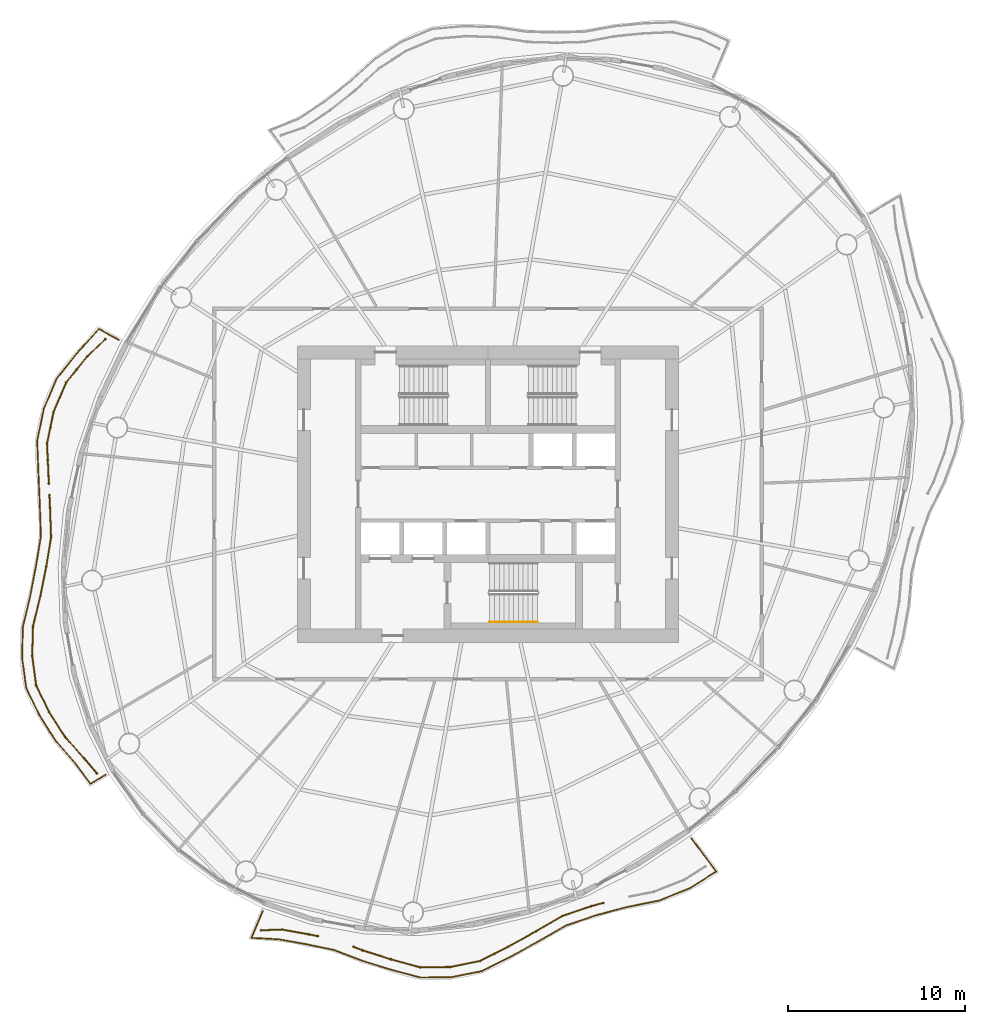
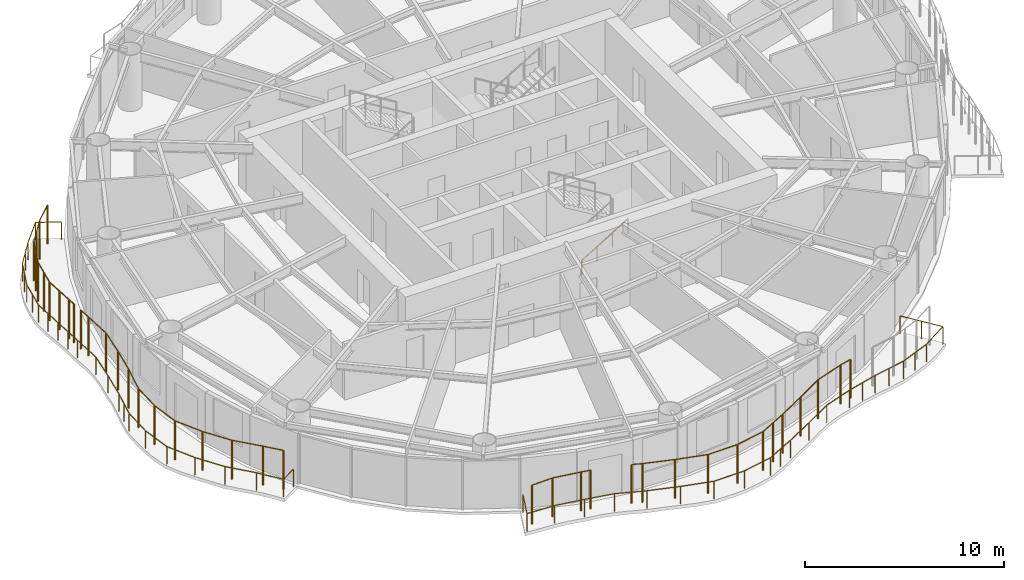
# One storey, part 12 of 14: 7 railings.
"""IFC4 building model written with IfcOpenShell, lengths in metres."""

from ifc_helpers import new_model, si_unit, direction, frame, origin, origin_2d, place, context, subcontext, project, spatial, circle, extrude, material, type_object, element, save


model = new_model("IFC4")

# Units and contexts
model_context = context("Model", 3, precision=1e-05, world=origin(), true_north=direction((0.0, 1.0)))
body_context = subcontext(model_context, "Body", "Model", "MODEL_VIEW")
ifc_project = project(units=[si_unit("LENGTHUNIT", "METRE"), si_unit("AREAUNIT", "SQUARE_METRE"), si_unit("VOLUMEUNIT", "CUBIC_METRE"), si_unit("PLANEANGLEUNIT", "RADIAN"), si_unit("MASSUNIT", "GRAM", prefix="KILO")], contexts=[model_context])

# Site, building, storey
site_placement = place(None, origin())
site = spatial("IfcSite", under=ifc_project, at=site_placement, CompositionType="ELEMENT")
building_placement = place(site_placement, origin())
building = spatial("IfcBuilding", under=site, at=building_placement, Name="Vermilion Reach Broadcast Tower", CompositionType="ELEMENT")
storey_placement = place(building_placement, frame((0.0, 0.0, 228.10009765625)))
storey = spatial("IfcBuildingStorey", under=building, at=storey_placement, Name="L56", CompositionType="ELEMENT", Elevation=228.10009765625)

# Railings
ifc_material_1 = material(Name="Terracotta baguette", Category="masonry")
railing_type_1 = type_object("IfcRailingType", Name="BAGUETTE SCREEN", PredefinedType="USERDEFINED", material=ifc_material_1)
railing_1_placement = place(storey_placement, frame((-27.67333984375, 8.775390625, 0.0)))
element("IfcRailing", 1, at=railing_1_placement, inside=storey, type_object=railing_type_1, Name="Baguette screen L56 group 2 part 1", ObjectType="BAGUETTE SCREEN", PredefinedType="USERDEFINED", context=body_context, shape_type="SweptSolid", body=[
    extrude(circle(Radius=0.030029296875, at=origin_2d()), frame((0.0, 0.0, 2.369873046875), z_axis=(-0.722757044691, -0.691102202535, 0.0), x_axis=(0.691102202535, -0.722757044691, 0.0)), (0.0, 0.0, 1.0), 1.4267578125),
    extrude(circle(Radius=0.030029296875, at=origin_2d()), frame((-1.03125, -0.986083984375, 2.369873046875), z_axis=(-0.628967945906, -0.77743123363, 0.0), x_axis=(0.77743123363, -0.628967945906, 0.0)), (0.0, 0.0, 1.0), 1.89111328125),
    extrude(circle(Radius=0.030029296875, at=origin_2d()), frame((-2.220703125, -2.456298828125, 2.369873046875), z_axis=(-0.393627229097, -0.919270147733, 0.0), x_axis=(0.919270147733, -0.393627229097, 0.0)), (0.0, 0.0, 1.0), 1.816162109375),
    extrude(circle(Radius=0.030029296875, at=origin_2d()), frame((-2.935546875, -4.125732421875, 2.369873046875), z_axis=(-0.201260227584, -0.979537809782, 0.0), x_axis=(0.979537809782, -0.201260227584, 0.0)), (0.0, 0.0, 1.0), 1.824462890625),
    extrude(circle(Radius=0.030029296875, at=origin_2d()), frame((-3.302734375, -5.912841796875, 2.369873046875), z_axis=(0.044141123431, -0.999025305597, 0.0), x_axis=(0.999025305597, 0.044141123431, 0.0)), (0.0, 0.0, 1.0), 1.836181640625),
    extrude(circle(Radius=0.030029296875, at=origin_2d()), frame((-3.2216796875, -7.747314453125, 2.369873046875), z_axis=(0.046980541768, -0.998895804724, 0.0), x_axis=(0.998895804724, 0.046980541768, 0.0)), (0.0, 0.0, 1.0), 0.4365234375),
    extrude(circle(Radius=0.050048828125, at=origin_2d()), origin(), (0.0, 0.0, 1.0), 2.33984375),
    extrude(circle(Radius=0.050048828125, at=origin_2d()), frame((-1.03125, -0.986083984375, 0.0)), (0.0, 0.0, 1.0), 2.33984375),
    extrude(circle(Radius=0.050048828125, at=origin_2d()), frame((-1.6259765625, -1.72119140625, 0.0)), (0.0, 0.0, 1.0), 2.33984375),
    extrude(circle(Radius=0.050048828125, at=origin_2d()), frame((-2.220703125, -2.456298828125, 0.0)), (0.0, 0.0, 1.0), 2.33984375),
    extrude(circle(Radius=0.050048828125, at=origin_2d()), frame((-2.578125, -3.291015625, 0.0)), (0.0, 0.0, 1.0), 2.33984375),
    extrude(circle(Radius=0.050048828125, at=origin_2d()), frame((-2.935546875, -4.125732421875, 0.0)), (0.0, 0.0, 1.0), 2.33984375),
    extrude(circle(Radius=0.050048828125, at=origin_2d()), frame((-3.119140625, -5.019287109375, 0.0)), (0.0, 0.0, 1.0), 2.33984375),
    extrude(circle(Radius=0.050048828125, at=origin_2d()), frame((-3.302734375, -5.912841796875, 0.0)), (0.0, 0.0, 1.0), 2.33984375),
    extrude(circle(Radius=0.050048828125, at=origin_2d()), frame((-3.26220703125, -6.830078125, 0.0)), (0.0, 0.0, 1.0), 2.33984375),
    extrude(circle(Radius=0.050048828125, at=origin_2d()), frame((-3.2216796875, -7.747314453125, 0.0)), (0.0, 0.0, 1.0), 2.33984375),
    extrude(circle(Radius=0.050048828125, at=origin_2d()), frame((-3.201171875, -8.183349609375, 0.0)), (0.0, 0.0, 1.0), 2.33984375),
])
railing_2_placement = place(storey_placement, frame((-30.84375, -0.05712890625, 0.0)))
element("IfcRailing", 2, at=railing_2_placement, inside=storey, type_object=railing_type_1, Name="Baguette screen L56 group 2 part 2", ObjectType="BAGUETTE SCREEN", PredefinedType="USERDEFINED", context=body_context, shape_type="SweptSolid", body=[
    extrude(circle(Radius=0.030029296875, at=origin_2d()), frame((0.0, 0.0, 2.369873046875), z_axis=(0.047298809531, -0.998880784987, 0.0), x_axis=(0.998880784987, 0.047298809531, 0.0)), (0.0, 0.0, 1.0), 0.69677734375),
    extrude(circle(Radius=0.030029296875, at=origin_2d()), frame((0.032958984375, -0.696044921875, 2.369873046875), z_axis=(0.037676496913, -0.999289988732, 0.0), x_axis=(0.999289988732, 0.037676496913, 0.0)), (0.0, 0.0, 1.0), 1.69775390625),
    extrude(circle(Radius=0.030029296875, at=origin_2d()), frame((0.096923828125, -2.392578125, 2.369873046875), z_axis=(-0.164163813385, -0.986433090673, 0.0), x_axis=(0.986433090673, -0.164163813385, 0.0)), (0.0, 0.0, 1.0), 1.68359375),
    extrude(circle(Radius=0.030029296875, at=origin_2d()), frame((-0.179443359375, -4.05322265625, 2.369873046875), z_axis=(-0.195585957367, -0.980686562201, 0.0), x_axis=(0.980686562201, -0.195585957367, 0.0)), (0.0, 0.0, 1.0), 1.6826171875),
    extrude(circle(Radius=0.030029296875, at=origin_2d()), frame((-0.508544921875, -5.703369140625, 2.369873046875), z_axis=(-0.236475156392, -0.971637535509, 0.0), x_axis=(0.971637535509, -0.236475156392, 0.0)), (0.0, 0.0, 1.0), 1.764404296875),
    extrude(circle(Radius=0.030029296875, at=origin_2d()), frame((-0.92578125, -7.417724609375, 2.369873046875), z_axis=(-0.028877162149, -0.999582967795, 0.0), x_axis=(0.999582967795, -0.028877162149, 0.0)), (0.0, 0.0, 1.0), 1.69091796875),
    extrude(circle(Radius=0.030029296875, at=origin_2d()), frame((-0.974609375, -9.10791015625, 2.369873046875), z_axis=(0.133155864043, -0.991095109397, 0.0), x_axis=(0.991095109397, 0.133155864043, 0.0)), (0.0, 0.0, 1.0), 1.6923828125),
    extrude(circle(Radius=0.030029296875, at=origin_2d()), frame((-0.749267578125, -10.78515625, 2.369873046875), z_axis=(0.438538830035, -0.898712242351, 0.0), x_axis=(0.898712242351, 0.438538830035, 0.0)), (0.0, 0.0, 1.0), 1.670166015625),
    extrude(circle(Radius=0.030029296875, at=origin_2d()), frame((-0.016845703125, -12.2861328125, 2.369873046875), z_axis=(0.538629286926, -0.842542872064, 0.0), x_axis=(0.842542872064, 0.538629286926, 0.0)), (0.0, 0.0, 1.0), 1.665283203125),
    extrude(circle(Radius=0.030029296875, at=origin_2d()), frame((0.880126953125, -13.689208984375, 2.369873046875), z_axis=(0.664817376266, -0.747005927831, 0.0), x_axis=(0.747005927831, 0.664817376266, 0.0)), (0.0, 0.0, 1.0), 1.63671875),
    extrude(circle(Radius=0.030029296875, at=origin_2d()), frame((1.96826171875, -14.911865234375, 2.369873046875), z_axis=(0.645291965008, -0.763936044376, 0.0), x_axis=(0.763936044376, 0.645291965008, 0.0)), (0.0, 0.0, 1.0), 1.111083984375),
    extrude(circle(Radius=0.050048828125, at=origin_2d()), origin(), (0.0, 0.0, 1.0), 2.33984375),
    extrude(circle(Radius=0.050048828125, at=origin_2d()), frame((0.032958984375, -0.696044921875, 0.0)), (0.0, 0.0, 1.0), 2.33984375),
    extrude(circle(Radius=0.050048828125, at=origin_2d()), frame((0.096923828125, -2.392578125, 0.0)), (0.0, 0.0, 1.0), 2.33984375),
    extrude(circle(Radius=0.050048828125, at=origin_2d()), frame((-0.179443359375, -4.05322265625, 0.0)), (0.0, 0.0, 1.0), 2.33984375),
    extrude(circle(Radius=0.050048828125, at=origin_2d()), frame((-0.508544921875, -5.703369140625, 0.0)), (0.0, 0.0, 1.0), 2.33984375),
    extrude(circle(Radius=0.050048828125, at=origin_2d()), frame((-0.92578125, -7.417724609375, 0.0)), (0.0, 0.0, 1.0), 2.33984375),
    extrude(circle(Radius=0.050048828125, at=origin_2d()), frame((-0.974609375, -9.10791015625, 0.0)), (0.0, 0.0, 1.0), 2.33984375),
    extrude(circle(Radius=0.050048828125, at=origin_2d()), frame((-0.749267578125, -10.78515625, 0.0)), (0.0, 0.0, 1.0), 2.33984375),
    extrude(circle(Radius=0.050048828125, at=origin_2d()), frame((-0.016845703125, -12.2861328125, 0.0)), (0.0, 0.0, 1.0), 2.33984375),
    extrude(circle(Radius=0.050048828125, at=origin_2d()), frame((0.880126953125, -13.689208984375, 0.0)), (0.0, 0.0, 1.0), 2.33984375),
    extrude(circle(Radius=0.050048828125, at=origin_2d()), frame((1.96826171875, -14.911865234375, 0.0)), (0.0, 0.0, 1.0), 2.33984375),
    extrude(circle(Radius=0.050048828125, at=origin_2d()), frame((2.685302734375, -15.7607421875, 0.0)), (0.0, 0.0, 1.0), 2.33984375),
])
railing_3_placement = place(storey_placement, frame((-18.860107421875, -24.7080078125, 0.0)))
element("IfcRailing", 3, at=railing_3_placement, inside=storey, type_object=railing_type_1, Name="Baguette screen L56 group 3 part 1", ObjectType="BAGUETTE SCREEN", PredefinedType="USERDEFINED", context=body_context, shape_type="SweptSolid", body=[
    extrude(circle(Radius=0.030029296875, at=origin_2d()), frame((0.0, 0.0, 2.369873046875), z_axis=(0.999548598282, 0.030043296618, 0.0), x_axis=(-0.030043296618, 0.999548598282, 0.0)), (0.0, 0.0, 1.0), 1.20263671875),
    extrude(circle(Radius=0.030029296875, at=origin_2d()), frame((1.2021484375, 0.0361328125, 2.369873046875), z_axis=(0.984942379849, -0.17288293258, 0.0), x_axis=(0.17288293258, 0.984942379849, 0.0)), (0.0, 0.0, 1.0), 1.54345703125),
    extrude(circle(Radius=0.030029296875, at=origin_2d()), frame((2.722412109375, -0.230712890625, 2.369873046875), z_axis=(0.979227534242, -0.202764484519, 0.0), x_axis=(0.202764484519, 0.979227534242, 0.0)), (0.0, 0.0, 1.0), 0.508056640625),
    extrude(circle(Radius=0.050048828125, at=origin_2d()), origin(), (0.0, 0.0, 1.0), 2.33984375),
    extrude(circle(Radius=0.050048828125, at=origin_2d()), frame((1.2021484375, 0.0361328125, 0.0)), (0.0, 0.0, 1.0), 2.33984375),
    extrude(circle(Radius=0.050048828125, at=origin_2d()), frame((2.722412109375, -0.230712890625, 0.0)), (0.0, 0.0, 1.0), 2.33984375),
    extrude(circle(Radius=0.050048828125, at=origin_2d()), frame((3.219970703125, -0.333740234375, 0.0)), (0.0, 0.0, 1.0), 2.33984375),
])
railing_4_placement = place(storey_placement, frame((-13.614013671875, -25.64453125, 0.0)))
element("IfcRailing", 4, at=railing_4_placement, inside=storey, type_object=railing_type_1, Name="Baguette screen L56 group 3 part 2", ObjectType="BAGUETTE SCREEN", PredefinedType="USERDEFINED", context=body_context, shape_type="SweptSolid", body=[
    extrude(circle(Radius=0.030029296875, at=origin_2d()), frame((0.0, 0.0, 2.369873046875), z_axis=(0.931395385724, -0.364009114517, 0.0), x_axis=(0.364009114517, 0.931395385724, 0.0)), (0.0, 0.0, 1.0), 0.54248046875),
    extrude(circle(Radius=0.030029296875, at=origin_2d()), frame((0.50537109375, -0.197509765625, 2.369873046875), z_axis=(0.952777109231, -0.30367051244, 0.0), x_axis=(0.30367051244, 0.952777109231, 0.0)), (0.0, 0.0, 1.0), 1.68359375),
    extrude(circle(Radius=0.030029296875, at=origin_2d()), frame((2.109375, -0.708740234375, 2.369873046875), z_axis=(0.964668861226, -0.263465345312, 0.0), x_axis=(0.263465345312, 0.964668861226, 0.0)), (0.0, 0.0, 1.0), 1.7216796875),
    extrude(circle(Radius=0.030029296875, at=origin_2d()), frame((3.770263671875, -1.162353515625, 2.369873046875), z_axis=(0.999935732565, 0.011337139825, 0.0), x_axis=(-0.011337139825, 0.999935732565, 0.0)), (0.0, 0.0, 1.0), 1.72265625),
    extrude(circle(Radius=0.030029296875, at=origin_2d()), frame((5.492919921875, -1.142822265625, 2.369873046875), z_axis=(0.980273219847, 0.197647196923, 0.0), x_axis=(-0.197647196923, 0.980273219847, 0.0)), (0.0, 0.0, 1.0), 1.717041015625),
    extrude(circle(Radius=0.030029296875, at=origin_2d()), frame((7.176025390625, -0.803466796875, 2.369873046875), z_axis=(0.891069478784, 0.453866923206, 0.0), x_axis=(-0.453866923206, 0.891069478784, 0.0)), (0.0, 0.0, 1.0), 1.802001953125),
    extrude(circle(Radius=0.030029296875, at=origin_2d()), frame((8.78173828125, 0.014404296875, 2.369873046875), z_axis=(0.874203184732, 0.485560286478, 0.0), x_axis=(-0.485560286478, 0.874203184732, 0.0)), (0.0, 0.0, 1.0), 1.755859375),
    extrude(circle(Radius=0.030029296875, at=origin_2d()), frame((10.316650390625, 0.866943359375, 2.369873046875), z_axis=(0.864398912647, 0.502806642573, 0.0), x_axis=(-0.502806642573, 0.864398912647, 0.0)), (0.0, 0.0, 1.0), 1.7548828125),
    extrude(circle(Radius=0.030029296875, at=origin_2d()), frame((11.83349609375, 1.749267578125, 2.369873046875), z_axis=(0.946667495307, 0.32221212474, 0.0), x_axis=(-0.32221212474, 0.946667495307, 0.0)), (0.0, 0.0, 1.0), 1.711669921875),
    extrude(circle(Radius=0.030029296875, at=origin_2d()), frame((13.453857421875, 2.30078125, 2.369873046875), z_axis=(0.966422587137, 0.256957940279, 0.0), x_axis=(-0.256957940279, 0.966422587137, 0.0)), (0.0, 0.0, 1.0), 0.711669921875),
    extrude(circle(Radius=0.050048828125, at=origin_2d()), origin(), (0.0, 0.0, 1.0), 2.33984375),
    extrude(circle(Radius=0.050048828125, at=origin_2d()), frame((0.50537109375, -0.197509765625, 0.0)), (0.0, 0.0, 1.0), 2.33984375),
    extrude(circle(Radius=0.050048828125, at=origin_2d()), frame((2.109375, -0.708740234375, 0.0)), (0.0, 0.0, 1.0), 2.33984375),
    extrude(circle(Radius=0.050048828125, at=origin_2d()), frame((3.770263671875, -1.162353515625, 0.0)), (0.0, 0.0, 1.0), 2.33984375),
    extrude(circle(Radius=0.050048828125, at=origin_2d()), frame((5.492919921875, -1.142822265625, 0.0)), (0.0, 0.0, 1.0), 2.33984375),
    extrude(circle(Radius=0.050048828125, at=origin_2d()), frame((7.176025390625, -0.803466796875, 0.0)), (0.0, 0.0, 1.0), 2.33984375),
    extrude(circle(Radius=0.050048828125, at=origin_2d()), frame((7.97900390625, -0.39453125, 0.0)), (0.0, 0.0, 1.0), 2.33984375),
    extrude(circle(Radius=0.050048828125, at=origin_2d()), frame((8.78173828125, 0.014404296875, 0.0)), (0.0, 0.0, 1.0), 2.33984375),
    extrude(circle(Radius=0.050048828125, at=origin_2d()), frame((10.316650390625, 0.866943359375, 0.0)), (0.0, 0.0, 1.0), 2.33984375),
    extrude(circle(Radius=0.050048828125, at=origin_2d()), frame((11.83349609375, 1.749267578125, 0.0)), (0.0, 0.0, 1.0), 2.33984375),
    extrude(circle(Radius=0.050048828125, at=origin_2d()), frame((13.453857421875, 2.30078125, 0.0)), (0.0, 0.0, 1.0), 2.33984375),
    extrude(circle(Radius=0.050048828125, at=origin_2d()), frame((14.1416015625, 2.483642578125, 0.0)), (0.0, 0.0, 1.0), 2.33984375),
])
ifc_material_2 = material(Name="Stainless steel 316 balustrade", Category="steel")
railing_type_2 = type_object("IfcRailingType", Name="Balcony guard 1100", PredefinedType="BALUSTRADE", material=ifc_material_2)
railing_5_placement = place(storey_placement, frame((-26.900634765625, 8.72900390625, 0.0)))
element("IfcRailing", 5, at=railing_5_placement, inside=storey, type_object=railing_type_2, Name="Balcony guard L56 group 2", PredefinedType="BALUSTRADE", context=body_context, shape_type="SweptSolid", body=[
    extrude(circle(Radius=0.02490234375, at=origin_2d()), frame((0.0, 0.0, 1.0751953125), z_axis=(-0.877672729299, 0.479260451367, 0.0), x_axis=(-0.479260451367, -0.877672729299, 0.0)), (0.0, 0.0, 1.0), 1.298583984375),
    extrude(circle(Radius=0.02490234375, at=origin_2d()), frame((-1.1396484375, 0.622314453125, 1.0751953125), z_axis=(-0.671064975396, -0.741398542484, 0.0), x_axis=(0.741398542484, -0.671064975396, 0.0)), (0.0, 0.0, 1.0), 1.770263671875),
    extrude(circle(Radius=0.02490234375, at=origin_2d()), frame((-2.32763671875, -0.690185546875, 1.0751953125), z_axis=(-0.625453629062, -0.780261339484, 0.0), x_axis=(0.780261339484, -0.625453629062, 0.0)), (0.0, 0.0, 1.0), 1.92236328125),
    extrude(circle(Radius=0.02490234375, at=origin_2d()), frame((-3.530029296875, -2.190185546875, 1.0751953125), z_axis=(-0.39301062429, -0.919533930421, 0.0), x_axis=(0.919533930421, -0.39301062429, 0.0)), (0.0, 0.0, 1.0), 1.8486328125),
    extrude(circle(Radius=0.02490234375, at=origin_2d()), frame((-4.256591796875, -3.89013671875, 1.0751953125), z_axis=(-0.203135646381, -0.979150605969, 0.0), x_axis=(0.979150605969, -0.203135646381, 0.0)), (0.0, 0.0, 1.0), 1.858154296875),
    extrude(circle(Radius=0.02490234375, at=origin_2d()), frame((-4.634033203125, -5.70947265625, 1.0751953125), z_axis=(0.039060245831, -0.999236857404, 0.0), x_axis=(0.999236857404, 0.039060245831, 0.0)), (0.0, 0.0, 1.0), 1.868896484375),
    extrude(circle(Radius=0.02490234375, at=origin_2d()), frame((-4.56103515625, -7.576904296875, 1.0751953125), z_axis=(0.042708676796, -0.999087568197, 0.0), x_axis=(0.999087568197, 0.042708676796, 0.0)), (0.0, 0.0, 1.0), 1.81787109375),
    extrude(circle(Radius=0.02490234375, at=origin_2d()), frame((-4.4833984375, -9.39306640625, 1.0751953125), z_axis=(0.034520510002, -0.99940398958, 0.0), x_axis=(0.99940398958, 0.034520510002, 0.0)), (0.0, 0.0, 1.0), 1.732666015625),
    extrude(circle(Radius=0.02490234375, at=origin_2d()), frame((-4.423583984375, -11.124755859375, 1.0751953125), z_axis=(-0.16191321633, -0.986805001192, 0.0), x_axis=(0.986805001192, -0.16191321633, 0.0)), (0.0, 0.0, 1.0), 1.720458984375),
    extrude(circle(Radius=0.02490234375, at=origin_2d()), frame((-4.7021484375, -12.822509765625, 1.0751953125), z_axis=(-0.191416939183, -0.981508815749, 0.0), x_axis=(0.981508815749, -0.191416939183, 0.0)), (0.0, 0.0, 1.0), 1.71923828125),
    extrude(circle(Radius=0.02490234375, at=origin_2d()), frame((-5.03125, -14.510009765625, 1.0751953125), z_axis=(-0.230081452893, -0.973171374957, 0.0), x_axis=(0.973171374957, -0.230081452893, 0.0)), (0.0, 0.0, 1.0), 1.8017578125),
    extrude(circle(Radius=0.02490234375, at=origin_2d()), frame((-5.44580078125, -16.263427734375, 1.0751953125), z_axis=(-0.025267276323, -0.999680731407, 0.0), x_axis=(0.999680731407, -0.025267276323, 0.0)), (0.0, 0.0, 1.0), 1.7294921875),
    extrude(circle(Radius=0.02490234375, at=origin_2d()), frame((-5.489501953125, -17.992431640625, 1.0751953125), z_axis=(0.134912102381, -0.990857570305, 0.0), x_axis=(0.990857570305, 0.134912102381, 0.0)), (0.0, 0.0, 1.0), 1.733642578125),
    extrude(circle(Radius=0.02490234375, at=origin_2d()), frame((-5.255615234375, -19.710205078125, 1.0751953125), z_axis=(0.434725118445, -0.900563196779, 0.0), x_axis=(0.900563196779, 0.434725118445, 0.0)), (0.0, 0.0, 1.0), 1.710693359375),
    extrude(circle(Radius=0.02490234375, at=origin_2d()), frame((-4.511962890625, -21.250732421875, 1.0751953125), z_axis=(0.534041406529, -0.845458323108, 0.0), x_axis=(0.845458323108, 0.534041406529, 0.0)), (0.0, 0.0, 1.0), 1.70751953125),
    extrude(circle(Radius=0.02490234375, at=origin_2d()), frame((-3.60009765625, -22.6943359375, 1.0751953125), z_axis=(0.659019423264, -0.752125920149, 0.0), x_axis=(0.752125920149, 0.659019423264, 0.0)), (0.0, 0.0, 1.0), 1.67822265625),
    extrude(circle(Radius=0.02490234375, at=origin_2d()), frame((-2.494140625, -23.95654296875, 1.0751953125), z_axis=(0.599127464484, -0.800653658769, 0.0), x_axis=(0.800653658769, 0.599127464484, 0.0)), (0.0, 0.0, 1.0), 1.47802734375),
    extrude(circle(Radius=0.02490234375, at=origin_2d()), frame((-1.608642578125, -25.139892578125, 1.0751953125), z_axis=(0.858232379707, 0.513261319819, 0.0), x_axis=(-0.513261319819, 0.858232379707, 0.0)), (0.0, 0.0, 1.0), 1.018310546875),
    extrude(circle(Radius=0.02490234375, at=origin_2d()), origin(), (0.0, 0.0, 1.0), 1.050048828125),
    extrude(circle(Radius=0.02490234375, at=origin_2d()), frame((-1.1396484375, 0.622314453125, 0.0)), (0.0, 0.0, 1.0), 1.050048828125),
    extrude(circle(Radius=0.02490234375, at=origin_2d()), frame((-2.32763671875, -0.690185546875, 0.0)), (0.0, 0.0, 1.0), 1.050048828125),
    extrude(circle(Radius=0.02490234375, at=origin_2d()), frame((-2.9287109375, -1.440185546875, 0.0)), (0.0, 0.0, 1.0), 1.050048828125),
    extrude(circle(Radius=0.02490234375, at=origin_2d()), frame((-3.530029296875, -2.190185546875, 0.0)), (0.0, 0.0, 1.0), 1.050048828125),
    extrude(circle(Radius=0.02490234375, at=origin_2d()), frame((-3.893310546875, -3.0400390625, 0.0)), (0.0, 0.0, 1.0), 1.050048828125),
    extrude(circle(Radius=0.02490234375, at=origin_2d()), frame((-4.256591796875, -3.89013671875, 0.0)), (0.0, 0.0, 1.0), 1.050048828125),
    extrude(circle(Radius=0.02490234375, at=origin_2d()), frame((-4.4453125, -4.7998046875, 0.0)), (0.0, 0.0, 1.0), 1.050048828125),
    extrude(circle(Radius=0.02490234375, at=origin_2d()), frame((-4.634033203125, -5.70947265625, 0.0)), (0.0, 0.0, 1.0), 1.050048828125),
    extrude(circle(Radius=0.02490234375, at=origin_2d()), frame((-4.59765625, -6.64306640625, 0.0)), (0.0, 0.0, 1.0), 1.050048828125),
    extrude(circle(Radius=0.02490234375, at=origin_2d()), frame((-4.56103515625, -7.576904296875, 0.0)), (0.0, 0.0, 1.0), 1.050048828125),
    extrude(circle(Radius=0.02490234375, at=origin_2d()), frame((-4.522216796875, -8.48486328125, 0.0)), (0.0, 0.0, 1.0), 1.050048828125),
    extrude(circle(Radius=0.02490234375, at=origin_2d()), frame((-4.4833984375, -9.39306640625, 0.0)), (0.0, 0.0, 1.0), 1.050048828125),
    extrude(circle(Radius=0.02490234375, at=origin_2d()), frame((-4.423583984375, -11.124755859375, 0.0)), (0.0, 0.0, 1.0), 1.050048828125),
    extrude(circle(Radius=0.02490234375, at=origin_2d()), frame((-4.7021484375, -12.822509765625, 0.0)), (0.0, 0.0, 1.0), 1.050048828125),
    extrude(circle(Radius=0.02490234375, at=origin_2d()), frame((-5.03125, -14.510009765625, 0.0)), (0.0, 0.0, 1.0), 1.050048828125),
    extrude(circle(Radius=0.02490234375, at=origin_2d()), frame((-5.238525390625, -15.38671875, 0.0)), (0.0, 0.0, 1.0), 1.050048828125),
    extrude(circle(Radius=0.02490234375, at=origin_2d()), frame((-5.44580078125, -16.263427734375, 0.0)), (0.0, 0.0, 1.0), 1.050048828125),
    extrude(circle(Radius=0.02490234375, at=origin_2d()), frame((-5.489501953125, -17.992431640625, 0.0)), (0.0, 0.0, 1.0), 1.050048828125),
    extrude(circle(Radius=0.02490234375, at=origin_2d()), frame((-5.255615234375, -19.710205078125, 0.0)), (0.0, 0.0, 1.0), 1.050048828125),
    extrude(circle(Radius=0.02490234375, at=origin_2d()), frame((-4.511962890625, -21.250732421875, 0.0)), (0.0, 0.0, 1.0), 1.050048828125),
    extrude(circle(Radius=0.02490234375, at=origin_2d()), frame((-3.60009765625, -22.6943359375, 0.0)), (0.0, 0.0, 1.0), 1.050048828125),
    extrude(circle(Radius=0.02490234375, at=origin_2d()), frame((-2.494140625, -23.95654296875, 0.0)), (0.0, 0.0, 1.0), 1.050048828125),
    extrude(circle(Radius=0.02490234375, at=origin_2d()), frame((-1.608642578125, -25.139892578125, 0.0)), (0.0, 0.0, 1.0), 1.050048828125),
    extrude(circle(Radius=0.02490234375, at=origin_2d()), frame((-0.734619140625, -24.6171875, 0.0)), (0.0, 0.0, 1.0), 1.050048828125),
])
railing_6_placement = place(storey_placement, frame((-18.75537109375, -23.6181640625, 0.0)))
element("IfcRailing", 6, at=railing_6_placement, inside=storey, type_object=railing_type_2, Name="Balcony guard L56 group 3", PredefinedType="BALUSTRADE", context=body_context, shape_type="SweptSolid", body=[
    extrude(circle(Radius=0.02490234375, at=origin_2d()), frame((0.0, 0.0, 1.0751953125), z_axis=(-0.390219202088, -0.920721985358, 0.0), x_axis=(0.920721985358, -0.390219202088, 0.0)), (0.0, 0.0, 1.0), 1.64990234375),
    extrude(circle(Radius=0.02490234375, at=origin_2d()), frame((-0.643798828125, -1.51904296875, 1.0751953125), z_axis=(0.998530844738, -0.054186272315, 0.0), x_axis=(0.054186272315, 0.998530844738, 0.0)), (0.0, 0.0, 1.0), 1.558837890625),
    extrude(circle(Radius=0.02490234375, at=origin_2d()), frame((0.912841796875, -1.603515625, 1.0751953125), z_axis=(0.984382843734, -0.176040952514, 0.0), x_axis=(0.176040952514, 0.984382843734, 0.0)), (0.0, 0.0, 1.0), 1.58642578125),
    extrude(circle(Radius=0.02490234375, at=origin_2d()), frame((2.474609375, -1.8828125, 1.0751953125), z_axis=(0.979209296697, -0.202852540685, 0.0), x_axis=(0.202852540685, 0.979209296697, 0.0)), (0.0, 0.0, 1.0), 1.601806640625),
    extrude(circle(Radius=0.02490234375, at=origin_2d()), frame((4.043212890625, -2.207763671875, 1.0751953125), z_axis=(0.933490120546, -0.358603116053, 0.0), x_axis=(0.358603116053, 0.933490120546, 0.0)), (0.0, 0.0, 1.0), 1.65380859375),
    extrude(circle(Radius=0.02490234375, at=origin_2d()), frame((5.5869140625, -2.80078125, 1.0751953125), z_axis=(0.954477457807, -0.298283057745, 0.0), x_axis=(0.298283057745, 0.954477457807, 0.0)), (0.0, 0.0, 1.0), 1.7236328125),
    extrude(circle(Radius=0.02490234375, at=origin_2d()), frame((7.232177734375, -3.31494140625, 1.0751953125), z_axis=(0.966228029741, -0.257688561142, 0.0), x_axis=(0.257688561142, 0.966228029741, 0.0)), (0.0, 0.0, 1.0), 1.75927734375),
    extrude(circle(Radius=0.02490234375, at=origin_2d()), frame((8.93212890625, -3.768310546875, 1.0751953125), z_axis=(0.999920514558, 0.012608115121, 0.0), x_axis=(-0.012608115121, 0.999920514558, 0.0)), (0.0, 0.0, 1.0), 1.76220703125),
    extrude(circle(Radius=0.02490234375, at=origin_2d()), frame((10.694091796875, -3.74609375, 1.0751953125), z_axis=(0.980548538682, 0.19627675178, 0.0), x_axis=(-0.19627675178, 0.980548538682, 0.0)), (0.0, 0.0, 1.0), 1.75390625),
    extrude(circle(Radius=0.02490234375, at=origin_2d()), frame((12.413818359375, -3.40185546875, 1.0751953125), z_axis=(0.893495502052, 0.44907214099, 0.0), x_axis=(-0.44907214099, 0.893495502052, 0.0)), (0.0, 0.0, 1.0), 1.838134765625),
    extrude(circle(Radius=0.02490234375, at=origin_2d()), frame((14.05615234375, -2.576416015625, 1.0751953125), z_axis=(0.876552601924, 0.481306073159, 0.0), x_axis=(-0.481306073159, 0.876552601924, 0.0)), (0.0, 0.0, 1.0), 1.7900390625),
    extrude(circle(Radius=0.02490234375, at=origin_2d()), frame((15.625244140625, -1.71484375, 1.0751953125), z_axis=(0.866423963106, 0.499309038729, 0.0), x_axis=(-0.499309038729, 0.866423963106, 0.0)), (0.0, 0.0, 1.0), 1.78955078125),
    extrude(circle(Radius=0.02490234375, at=origin_2d()), frame((17.17578125, -0.8212890625, 1.0751953125), z_axis=(0.946321685879, 0.323226339945, 0.0), x_axis=(-0.323226339945, 0.946321685879, 0.0)), (0.0, 0.0, 1.0), 1.74560546875),
    extrude(circle(Radius=0.02490234375, at=origin_2d()), frame((18.82763671875, -0.257080078125, 1.0751953125), z_axis=(0.965506764292, 0.260377971622, 0.0), x_axis=(-0.260377971622, 0.965506764292, 0.0)), (0.0, 0.0, 1.0), 1.818115234375),
    extrude(circle(Radius=0.02490234375, at=origin_2d()), frame((20.5830078125, 0.21630859375, 1.0751953125), z_axis=(0.980436825139, 0.196834021223, 0.0), x_axis=(-0.196834021223, 0.980436825139, 0.0)), (0.0, 0.0, 1.0), 1.896484375),
    extrude(circle(Radius=0.02490234375, at=origin_2d()), frame((22.4423828125, 0.589599609375, 1.0751953125), z_axis=(0.928040052837, 0.372480416035, 0.0), x_axis=(-0.372480416035, 0.928040052837, 0.0)), (0.0, 0.0, 1.0), 1.892333984375),
    extrude(circle(Radius=0.02490234375, at=origin_2d()), frame((24.198486328125, 1.29443359375, 1.0751953125), z_axis=(0.844902956416, 0.534919614746, 0.0), x_axis=(-0.534919614746, 0.844902956416, 0.0)), (0.0, 0.0, 1.0), 1.75390625),
    extrude(circle(Radius=0.02490234375, at=origin_2d()), frame((25.680419921875, 2.232666015625, 1.0751953125), z_axis=(-0.595684750812, 0.803218325022, 0.0), x_axis=(-0.803218325022, -0.595684750812, 0.0)), (0.0, 0.0, 1.0), 2.349365234375),
    extrude(circle(Radius=0.02490234375, at=origin_2d()), origin(), (0.0, 0.0, 1.0), 1.050048828125),
    extrude(circle(Radius=0.02490234375, at=origin_2d()), frame((-0.643798828125, -1.51904296875, 0.0)), (0.0, 0.0, 1.0), 1.050048828125),
    extrude(circle(Radius=0.02490234375, at=origin_2d()), frame((0.912841796875, -1.603515625, 0.0)), (0.0, 0.0, 1.0), 1.050048828125),
    extrude(circle(Radius=0.02490234375, at=origin_2d()), frame((2.474609375, -1.8828125, 0.0)), (0.0, 0.0, 1.0), 1.050048828125),
    extrude(circle(Radius=0.02490234375, at=origin_2d()), frame((4.043212890625, -2.207763671875, 0.0)), (0.0, 0.0, 1.0), 1.050048828125),
    extrude(circle(Radius=0.02490234375, at=origin_2d()), frame((5.5869140625, -2.80078125, 0.0)), (0.0, 0.0, 1.0), 1.050048828125),
    extrude(circle(Radius=0.02490234375, at=origin_2d()), frame((7.232177734375, -3.31494140625, 0.0)), (0.0, 0.0, 1.0), 1.050048828125),
    extrude(circle(Radius=0.02490234375, at=origin_2d()), frame((8.93212890625, -3.768310546875, 0.0)), (0.0, 0.0, 1.0), 1.050048828125),
    extrude(circle(Radius=0.02490234375, at=origin_2d()), frame((10.694091796875, -3.74609375, 0.0)), (0.0, 0.0, 1.0), 1.050048828125),
    extrude(circle(Radius=0.02490234375, at=origin_2d()), frame((12.413818359375, -3.40185546875, 0.0)), (0.0, 0.0, 1.0), 1.050048828125),
    extrude(circle(Radius=0.02490234375, at=origin_2d()), frame((13.23486328125, -2.9892578125, 0.0)), (0.0, 0.0, 1.0), 1.050048828125),
    extrude(circle(Radius=0.02490234375, at=origin_2d()), frame((14.05615234375, -2.576416015625, 0.0)), (0.0, 0.0, 1.0), 1.050048828125),
    extrude(circle(Radius=0.02490234375, at=origin_2d()), frame((15.625244140625, -1.71484375, 0.0)), (0.0, 0.0, 1.0), 1.050048828125),
    extrude(circle(Radius=0.02490234375, at=origin_2d()), frame((17.17578125, -0.8212890625, 0.0)), (0.0, 0.0, 1.0), 1.050048828125),
    extrude(circle(Radius=0.02490234375, at=origin_2d()), frame((18.82763671875, -0.257080078125, 0.0)), (0.0, 0.0, 1.0), 1.050048828125),
    extrude(circle(Radius=0.02490234375, at=origin_2d()), frame((19.705322265625, -0.0205078125, 0.0)), (0.0, 0.0, 1.0), 1.050048828125),
    extrude(circle(Radius=0.02490234375, at=origin_2d()), frame((20.5830078125, 0.21630859375, 0.0)), (0.0, 0.0, 1.0), 1.050048828125),
    extrude(circle(Radius=0.02490234375, at=origin_2d()), frame((21.5126953125, 0.40283203125, 0.0)), (0.0, 0.0, 1.0), 1.050048828125),
    extrude(circle(Radius=0.02490234375, at=origin_2d()), frame((22.4423828125, 0.589599609375, 0.0)), (0.0, 0.0, 1.0), 1.050048828125),
    extrude(circle(Radius=0.02490234375, at=origin_2d()), frame((23.3203125, 0.94189453125, 0.0)), (0.0, 0.0, 1.0), 1.050048828125),
    extrude(circle(Radius=0.02490234375, at=origin_2d()), frame((24.198486328125, 1.29443359375, 0.0)), (0.0, 0.0, 1.0), 1.050048828125),
    extrude(circle(Radius=0.02490234375, at=origin_2d()), frame((25.680419921875, 2.232666015625, 0.0)), (0.0, 0.0, 1.0), 1.050048828125),
    extrude(circle(Radius=0.02490234375, at=origin_2d()), frame((24.980712890625, 3.17626953125, 0.0)), (0.0, 0.0, 1.0), 1.050048828125),
    extrude(circle(Radius=0.02490234375, at=origin_2d()), frame((24.281005859375, 4.11962890625, 0.0)), (0.0, 0.0, 1.0), 1.050048828125),
])
ifc_material_3 = material(Name="Stainless steel", Category="steel")
railing_type_3 = type_object("IfcRailingType", Name="Stair handrail", PredefinedType="HANDRAIL", material=ifc_material_3)
railing_7_placement = place(storey_placement, frame((-5.89990234375, -7.25, 0.16357421875)))
element("IfcRailing", 7, at=railing_7_placement, inside=storey, type_object=railing_type_3, Name="L56 ST3 stair handrail 1", PredefinedType="HANDRAIL", context=body_context, shape_type="SweptSolid", body=[
    extrude(circle(Radius=0.02392578125, at=origin_2d()), frame((0.0, 0.0, 0.8759765625), z_axis=(0.855212373127, 0.0, 0.518277721738), x_axis=(0.0, 1.0, 0.0)), (0.0, 0.0, 1.0), 3.156982421875),
    extrude(circle(Radius=0.02099609375, at=origin_2d()), origin(), (0.0, 0.0, 1.0), 0.851806640625),
    extrude(circle(Radius=0.02099609375, at=origin_2d()), frame((0.89990234375, 0.0, 0.54541015625)), (0.0, 0.0, 1.0), 0.851806640625),
    extrude(circle(Radius=0.02099609375, at=origin_2d()), frame((1.800048828125, 0.0, 1.0908203125)), (0.0, 0.0, 1.0), 0.851806640625),
    extrude(circle(Radius=0.02099609375, at=origin_2d()), frame((2.699951171875, 0.0, 1.63623046875)), (0.0, 0.0, 1.0), 0.851806640625),
])

save(model, "model.ifc")
